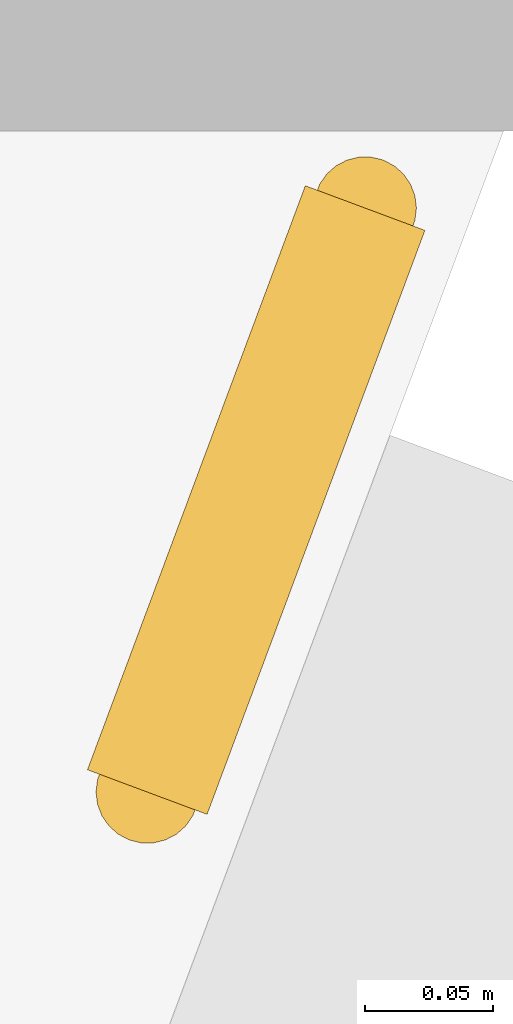
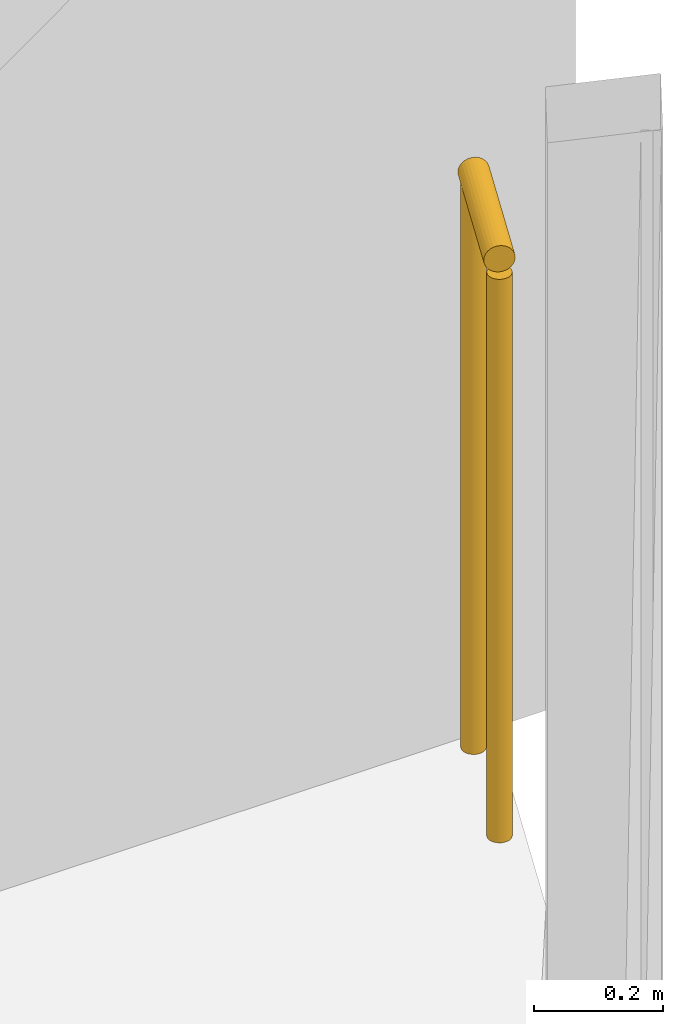
# One storey, part 30 of 31: 1 railing.
"""IFC4 building model written with IfcOpenShell, lengths in metres."""

from ifc_helpers import new_model, si_unit, direction, frame, origin, origin_2d, place, context, subcontext, project, spatial, circle, extrude, material, type_object, element, save


model = new_model("IFC4")

# Units and contexts
model_context = context("Model", 3, precision=1e-05, world=origin(), true_north=direction((0.0, 1.0)))
body_context = subcontext(model_context, "Body", "Model", "MODEL_VIEW")
ifc_project = project(units=[si_unit("LENGTHUNIT", "METRE"), si_unit("AREAUNIT", "SQUARE_METRE"), si_unit("VOLUMEUNIT", "CUBIC_METRE"), si_unit("PLANEANGLEUNIT", "RADIAN"), si_unit("MASSUNIT", "GRAM", prefix="KILO")], contexts=[model_context])

# Site, building, storey
site_placement = place(None, origin())
site = spatial("IfcSite", under=ifc_project, at=site_placement, CompositionType="ELEMENT")
building_placement = place(site_placement, origin())
building = spatial("IfcBuilding", under=site, at=building_placement, Name="Orlundy Tower", CompositionType="ELEMENT")
storey_placement = place(building_placement, frame((0.0, 0.0, 84.199951171875)))
storey = spatial("IfcBuildingStorey", under=building, at=storey_placement, Name="L20", CompositionType="ELEMENT", Elevation=84.199951171875)

# Railing
ifc_material = material(Name="Stainless steel bronze finish", Category="steel")
railing_type = type_object("IfcRailingType", Name="TG1 terrace guard", PredefinedType="GUARDRAIL", material=ifc_material)
railing_placement = place(storey_placement, frame((52.172607421875, -30.242919921875, 0.0)))
element("IfcRailing", 1, at=railing_placement, inside=storey, type_object=railing_type, Name="Guard TG-L20-E00", PredefinedType="GUARDRAIL", context=body_context, shape_type="SweptSolid", body=[
    extrude(circle(Radius=0.02490234375, at=origin_2d()), frame((0.0, 0.0, 1.09521484375), z_axis=(-0.34947210653, -0.936946768369, 0.0), x_axis=(0.936946768369, -0.34947210653, 0.0)), (0.0, 0.0, 1.0), 0.2431640625),
    extrude(circle(Radius=0.02001953125, at=origin_2d()), origin(), (0.0, 0.0, 1.0), 1.070068359375),
    extrude(circle(Radius=0.02001953125, at=origin_2d()), frame((-0.0849609375, -0.227783203125, 0.0)), (0.0, 0.0, 1.0), 1.070068359375),
])

save(model, "model.ifc")
